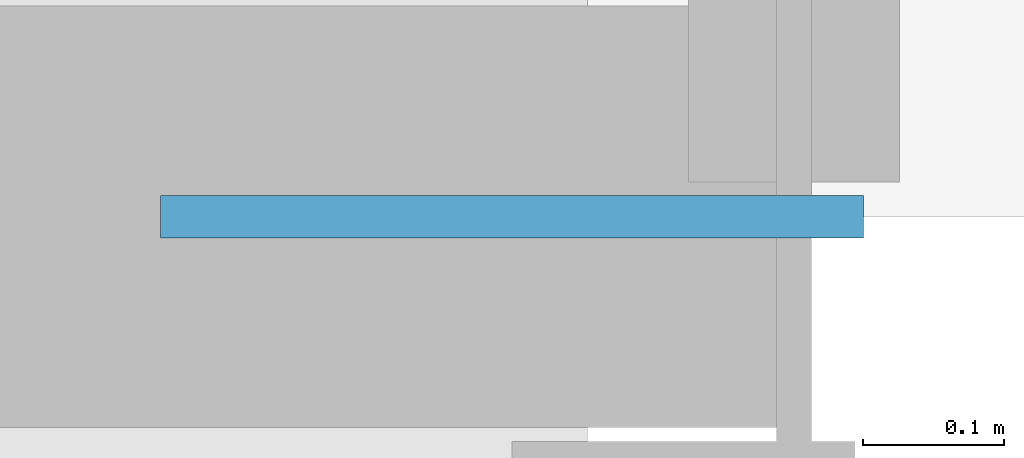
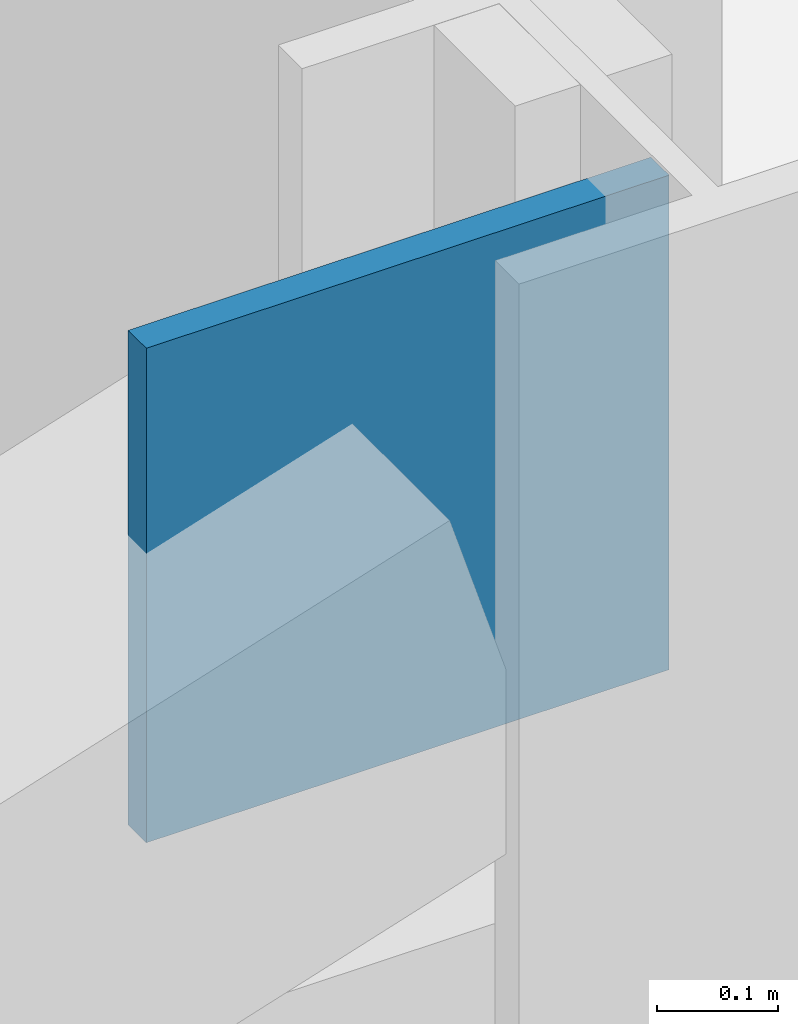
# One storey, part 21 of 30: 1 discrete accessory.
"""IFC4 building model written with IfcOpenShell, lengths in metres."""

from ifc_helpers import new_model, si_unit, direction, frame, origin, origin_2d, place, context, subcontext, project, spatial, rectangle, extrude, material, layer, layer_set, type_object, element, save


model = new_model("IFC4")

# Units and contexts
model_context = context("Model", 3, precision=1e-05, world=origin(), true_north=direction((0.0, 1.0)))
body_context = subcontext(model_context, "Body", "Model", "MODEL_VIEW")
ifc_project = project(units=[si_unit("LENGTHUNIT", "METRE"), si_unit("AREAUNIT", "SQUARE_METRE"), si_unit("VOLUMEUNIT", "CUBIC_METRE"), si_unit("PLANEANGLEUNIT", "RADIAN"), si_unit("MASSUNIT", "GRAM", prefix="KILO")], contexts=[model_context])

# Site, building, storey
site_placement = place(None, origin())
site = spatial("IfcSite", under=ifc_project, at=site_placement, CompositionType="ELEMENT")
building_placement = place(site_placement, origin())
building = spatial("IfcBuilding", under=site, at=building_placement, Name="Mahtab Terrace Research Tower", CompositionType="ELEMENT")
storey_placement = place(building_placement, frame((0.0, 0.0, 205.300048828125)))
storey = spatial("IfcBuildingStorey", under=building, at=storey_placement, Name="L49", CompositionType="ELEMENT", Elevation=205.300048828125)

# Discrete accessory
ifc_material = material(Name="Steel ASTM A992 Gr 50", Category="steel")
ifc_layer = layer(ifc_material, 0.030029296875)
ifc_layer_set = layer_set([ifc_layer], Name="Gusset plate 500x500x30")
discrete_accessory_type = type_object("IfcDiscreteAccessoryType", Name="Gusset plate 500x500x30", PredefinedType="USERDEFINED", material=ifc_layer_set)
discrete_accessory_placement = place(storey_placement, frame((17.79931640625, -23.0, 2.870849609375), z_axis=(0.0, 0.0, 1.0), x_axis=(1.0, 0.0, 0.0)))
element("IfcDiscreteAccessory", 1, at=discrete_accessory_placement, inside=storey, type_object=discrete_accessory_type, Name="Gusset plate", ObjectType="GUSSET PLATE", PredefinedType="USERDEFINED", context=body_context, shape_type="SweptSolid", body=[
    extrude(rectangle(XDim=0.5, YDim=0.030029296875, at=origin_2d()), origin(), (0.0, 0.0, 1.0), 0.5),
])

save(model, "model.ifc")
